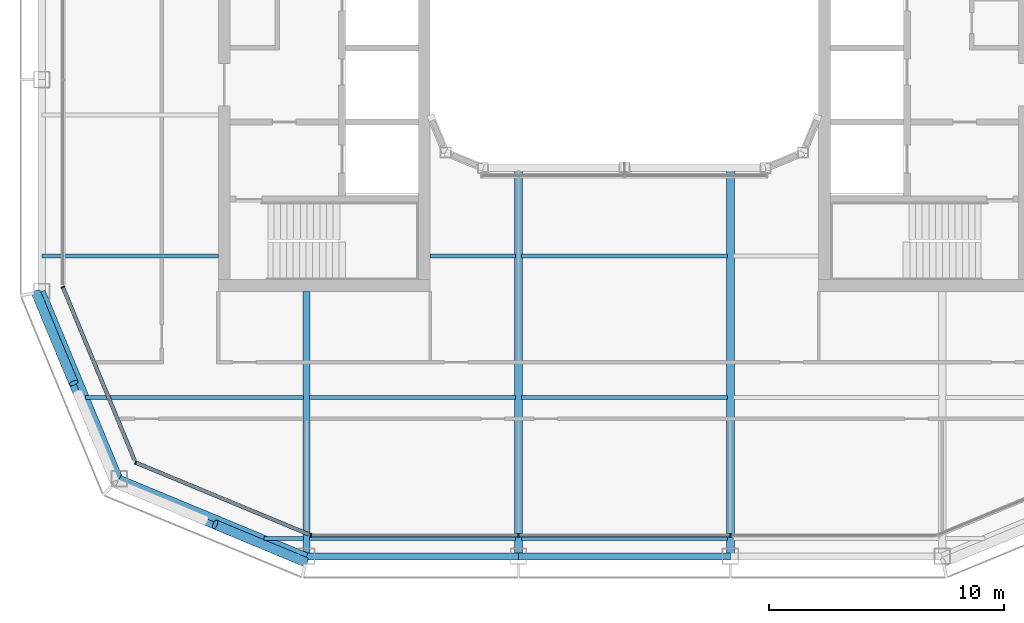
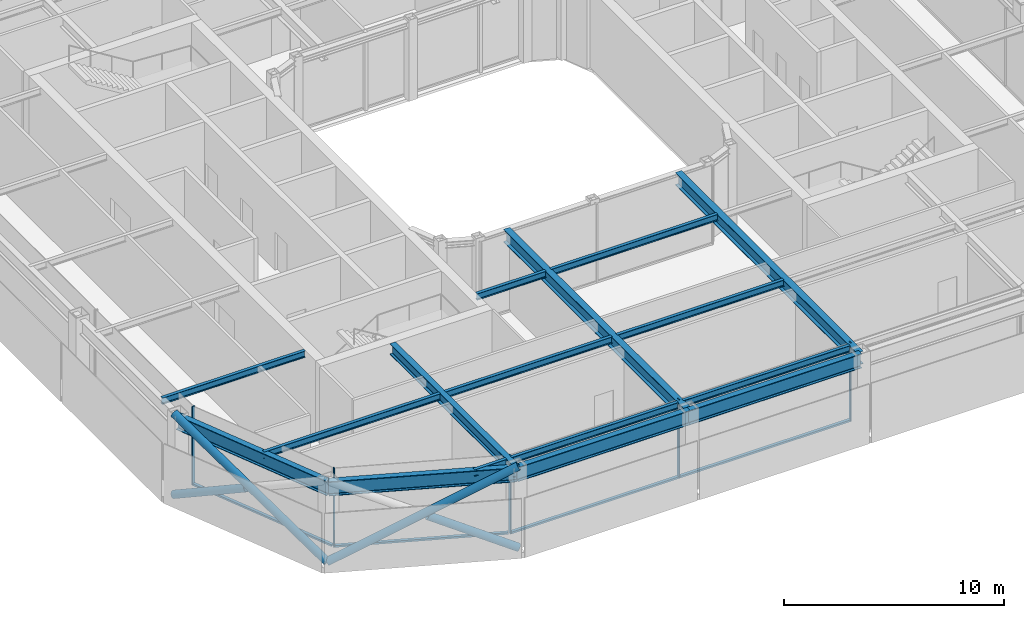
# One storey, part 3 of 18: 16 beams, 13 members, 3 elements without a shape of their own.
"""IFC4 building model written with IfcOpenShell, lengths in metres."""

from ifc_helpers import new_model, si_unit, direction, frame, origin, origin_2d, place, context, subcontext, project, spatial, rectangle, hollow_circle, i_section, extrude, material, layer, layer_set, material_profile, profile_set, type_object, element, aggregate, save


model = new_model("IFC4")

# Units and contexts
model_context = context("Model", 3, precision=1e-05, world=origin(), true_north=direction((0.0, 1.0)))
body_context = subcontext(model_context, "Body", "Model", "MODEL_VIEW")
ifc_project = project(units=[si_unit("LENGTHUNIT", "METRE"), si_unit("AREAUNIT", "SQUARE_METRE"), si_unit("VOLUMEUNIT", "CUBIC_METRE"), si_unit("PLANEANGLEUNIT", "RADIAN"), si_unit("MASSUNIT", "GRAM", prefix="KILO")], contexts=[model_context])

# Site, building, storey
site_placement = place(None, origin())
site = spatial("IfcSite", under=ifc_project, at=site_placement, CompositionType="ELEMENT")
building_placement = place(site_placement, origin())
building = spatial("IfcBuilding", under=site, at=building_placement, Name="Siwar Civic Tower", CompositionType="ELEMENT")
storey_placement = place(building_placement, frame((0.0, 0.0, 321.199951171875)))
storey = spatial("IfcBuildingStorey", under=building, at=storey_placement, Name="L69", CompositionType="ELEMENT", Elevation=321.199951171875)

# Curtain wall, members
ifc_material_1 = material(Name="Aluminium and glass", Category="aluminium")
ifc_layer_1 = layer(ifc_material_1, 0.159912109375)
ifc_layer_set_1 = layer_set([ifc_layer_1], Name="Aluminium and glass")
curtain_wall_type_1 = type_object("IfcCurtainWallType", Name="ENV-CW-D", PredefinedType="NOTDEFINED", material=ifc_layer_set_1)
curtain_wall_1_placement = place(storey_placement, origin())
curtain_wall_1 = element("IfcCurtainWall", 1, at=curtain_wall_1_placement, inside=storey, type_object=curtain_wall_type_1, Name="Curtain wall D S", PredefinedType="NOTDEFINED")
ifc_material_2 = material(Name="Aluminium 6063-T6", Category="aluminium")
ifc_material_profile_1 = material_profile(ifc_material_2, rectangle(XDim=0.159912109375, YDim=0.06005859375, at=origin_2d()), Name="AL 160x60")
ifc_profile_set_1 = profile_set([ifc_material_profile_1], Name="Aluminium 6063-T6")
member_type_1 = type_object("IfcMemberType", Name="ENV-MULLION-D", PredefinedType="MULLION", material=ifc_profile_set_1)
member_1_placement = place(storey_placement, frame((-13.321044921875, -23.85009765625, 0.0), z_axis=(0.0, 0.0, 1.0), x_axis=(0.0, 1.0, 0.0)))
member_1 = element("IfcMember", 2, at=member_1_placement, type_object=member_type_1, Name="Mullion D S 1", PredefinedType="MULLION", context=body_context, shape_type="SweptSolid", body=[
    extrude(rectangle(XDim=0.159912109375, YDim=0.06005859375, at=origin_2d()), origin(), (0.0, 0.0, 1.0), 4.35009765625),
])
member_2_placement = place(storey_placement, frame((-4.5, -23.85009765625, 0.0), z_axis=(0.0, 0.0, 1.0), x_axis=(0.0, 1.0, 0.0)))
member_2 = element("IfcMember", 3, at=member_2_placement, type_object=member_type_1, Name="Mullion D S 2", PredefinedType="MULLION", context=body_context, shape_type="SweptSolid", body=[
    extrude(rectangle(XDim=0.159912109375, YDim=0.06005859375, at=origin_2d()), origin(), (0.0, 0.0, 1.0), 4.35009765625),
])
member_3_placement = place(storey_placement, frame((4.5, -23.85009765625, 0.0), z_axis=(0.0, 0.0, 1.0), x_axis=(0.0, 1.0, 0.0)))
member_3 = element("IfcMember", 4, at=member_3_placement, type_object=member_type_1, Name="Mullion D S 3", PredefinedType="MULLION", context=body_context, shape_type="SweptSolid", body=[
    extrude(rectangle(XDim=0.159912109375, YDim=0.06005859375, at=origin_2d()), origin(), (0.0, 0.0, 1.0), 4.35009765625),
])

# Curtain wall, member
ifc_material_3 = material(Name="Aluminium clad insulated panel", Category="aluminium")
ifc_layer_2 = layer(ifc_material_3, 0.159912109375)
ifc_layer_set_2 = layer_set([ifc_layer_2], Name="Aluminium clad insulated panel")
curtain_wall_type_2 = type_object("IfcCurtainWallType", Name="ENV-CW-DX", PredefinedType="NOTDEFINED", material=ifc_layer_set_2)
curtain_wall_2_placement = place(storey_placement, origin())
curtain_wall_2 = element("IfcCurtainWall", 5, at=curtain_wall_2_placement, inside=storey, type_object=curtain_wall_type_2, Name="Curtain wall D SW1", PredefinedType="NOTDEFINED")
member_4_placement = place(storey_placement, frame((-23.85009765625, -13.321044921875, 0.0), z_axis=(0.0, 0.0, 1.0), x_axis=(0.923879532511, 0.382683432365, 0.0)))
member_4 = element("IfcMember", 6, at=member_4_placement, type_object=member_type_1, Name="Mullion D SW1 1", PredefinedType="MULLION", context=body_context, shape_type="SweptSolid", body=[
    extrude(rectangle(XDim=0.159912109375, YDim=0.06005859375, at=origin_2d()), origin(), (0.0, 0.0, 1.0), 4.35009765625),
])

curtain_wall_3_placement = place(storey_placement, origin())
curtain_wall_3 = element("IfcCurtainWall", 7, at=curtain_wall_3_placement, inside=storey, type_object=curtain_wall_type_2, Name="Curtain wall D SW2", PredefinedType="NOTDEFINED")
member_5_placement = place(storey_placement, frame((-20.76611328125, -20.76611328125, 0.0), z_axis=(0.0, 0.0, 1.0), x_axis=(0.382683432365, 0.923879532511, 0.0)))
member_5 = element("IfcMember", 8, at=member_5_placement, type_object=member_type_1, Name="Mullion D SW2 1", PredefinedType="MULLION", context=body_context, shape_type="SweptSolid", body=[
    extrude(rectangle(XDim=0.159912109375, YDim=0.06005859375, at=origin_2d()), origin(), (0.0, 0.0, 1.0), 4.35009765625),
])

# Member
ifc_material_4 = material(Name="Aluminium 6063-T6", Category="aluminium")
ifc_material_profile_2 = material_profile(ifc_material_4, rectangle(XDim=0.159912109375, YDim=0.10009765625, at=origin_2d()), Name="AL 160x100")
ifc_profile_set_2 = profile_set([ifc_material_profile_2], Name="Aluminium 6063-T6")
member_type_2 = type_object("IfcMemberType", Name="ENV-TRANSOM-D", PredefinedType="USERDEFINED", material=ifc_profile_set_2)
member_6_placement = place(storey_placement, frame((-13.291015625, -23.85009765625, 0.050048828125), z_axis=(1.0, 0.0, 0.0), x_axis=(0.0, 1.0, 0.0)))
member_6 = element("IfcMember", 9, at=member_6_placement, type_object=member_type_2, Name="Transom D S 1", ObjectType="TRANSOM", PredefinedType="USERDEFINED", context=body_context, shape_type="SweptSolid", body=[
    extrude(rectangle(XDim=0.159912109375, YDim=0.10009765625, at=origin_2d()), origin(), (0.0, 0.0, 1.0), 8.760986328125),
])

member_7_placement = place(storey_placement, frame((-4.469970703125, -23.85009765625, 0.050048828125), z_axis=(1.0, 0.0, 0.0), x_axis=(0.0, 1.0, 0.0)))
member_7 = element("IfcMember", 10, at=member_7_placement, type_object=member_type_2, Name="Transom D S 2", ObjectType="TRANSOM", PredefinedType="USERDEFINED", context=body_context, shape_type="SweptSolid", body=[
    extrude(rectangle(XDim=0.159912109375, YDim=0.10009765625, at=origin_2d()), origin(), (0.0, 0.0, 1.0), 8.93994140625),
])

aggregate(curtain_wall_1, [member_1, member_2, member_3, member_6, member_7])

member_8_placement = place(storey_placement, frame((-23.838623046875, -13.3486328125, 0.050048828125), z_axis=(0.382699790424, -0.923872756612, 0.0), x_axis=(0.923872756612, 0.382699790424, 0.0)))
member_8 = element("IfcMember", 11, at=member_8_placement, type_object=member_type_2, Name="Transom D SW1 1", ObjectType="TRANSOM", PredefinedType="USERDEFINED", context=body_context, shape_type="SweptSolid", body=[
    extrude(rectangle(XDim=0.159912109375, YDim=0.10009765625, at=origin_2d()), origin(), (0.0, 0.0, 1.0), 7.930908203125),
])

aggregate(curtain_wall_2, [member_4, member_8])

member_9_placement = place(storey_placement, frame((-20.738525390625, -20.777587890625, 0.050048828125), z_axis=(0.923883640343, -0.382673515031, 0.0), x_axis=(0.382673515031, 0.923883640343, 0.0)))
member_9 = element("IfcMember", 12, at=member_9_placement, type_object=member_type_2, Name="Transom D SW2 1", ObjectType="TRANSOM", PredefinedType="USERDEFINED", context=body_context, shape_type="SweptSolid", body=[
    extrude(rectangle(XDim=0.159912109375, YDim=0.10009765625, at=origin_2d()), origin(), (0.0, 0.0, 1.0), 7.930908203125),
])

aggregate(curtain_wall_3, [member_5, member_9])

# Members
ifc_material_5 = material(Name="Steel S355", Category="steel")
ifc_material_profile_3 = material_profile(ifc_material_5, hollow_circle(Radius=0.203125, WallThickness=0.01611328125, at=origin_2d()), Name="CHS406.4x16")
ifc_profile_set_3 = profile_set([ifc_material_profile_3], Name="Steel S355")
member_type_3 = type_object("IfcMemberType", Name="STR-BR-CHS406.4x16", PredefinedType="BRACE", material=ifc_profile_set_3)
member_10_placement = place(storey_placement, frame((-21.6318359375, -21.6318359375, 0.0), z_axis=(0.821142553604, -0.341671493852, 0.457149315816), x_axis=(0.384163874976, 0.923264922524, 0.0)))
element("IfcMember", 13, at=member_10_placement, inside=storey, type_object=member_type_3, Name="L69/brc/DSW1-8-0-1", PredefinedType="BRACE", context=body_context, shape_type="SweptSolid", body=[
    extrude(hollow_circle(Radius=0.203125, WallThickness=0.01611328125, at=origin_2d()), origin(), (0.0, 0.0, 1.0), 9.843505859375),
])
member_11_placement = place(storey_placement, frame((-13.548828125, -24.9951171875, 0.0), z_axis=(-0.821130093572, 0.341659024948, 0.45718101459), x_axis=(-0.384156893273, -0.923267827529, 0.0)))
element("IfcMember", 14, at=member_11_placement, inside=storey, type_object=member_type_3, Name="L69/brc/DSW1-8-0-2", PredefinedType="BRACE", context=body_context, shape_type="SweptSolid", body=[
    extrude(hollow_circle(Radius=0.203125, WallThickness=0.01611328125, at=origin_2d()), origin(), (0.0, 0.0, 1.0), 4.677001953125),
])
member_12_placement = place(storey_placement, frame((-21.6318359375, -21.6318359375, 0.0), z_axis=(-0.341671493852, 0.821142553604, 0.457149315816), x_axis=(-0.923264922524, -0.384163874976, 0.0)))
element("IfcMember", 15, at=member_12_placement, inside=storey, type_object=member_type_3, Name="L69/brc/DSW1-8-0-0", PredefinedType="BRACE", context=body_context, shape_type="SweptSolid", body=[
    extrude(hollow_circle(Radius=0.203125, WallThickness=0.01611328125, at=origin_2d()), origin(), (0.0, 0.0, 1.0), 9.843505859375),
])
member_13_placement = place(storey_placement, frame((-24.9951171875, -13.548828125, 0.0), z_axis=(0.341659024948, -0.821130093572, 0.45718101459), x_axis=(0.923267827529, 0.384156893273, 0.0)))
element("IfcMember", 16, at=member_13_placement, inside=storey, type_object=member_type_3, Name="L69/brc/DSW1-8-0-4", PredefinedType="BRACE", context=body_context, shape_type="SweptSolid", body=[
    extrude(hollow_circle(Radius=0.203125, WallThickness=0.01611328125, at=origin_2d()), origin(), (0.0, 0.0, 1.0), 4.677001953125),
])

# Beams
ifc_material_6 = material(Name="Steel S355", Category="steel")
ifc_material_profile_4 = material_profile(ifc_material_6, i_section(OverallWidth=0.169921875, OverallDepth=0.360107421875, WebThickness=0.008056640625, FlangeThickness=0.0126953125, FilletRadius=0.01806640625, at=origin_2d()), Name="IPE360")
ifc_profile_set_4 = profile_set([ifc_material_profile_4], Name="Steel S355")
beam_type_1 = type_object("IfcBeamType", Name="STR-FB-IPE360", PredefinedType="JOIST", material=ifc_profile_set_4)
beam_1_placement = place(storey_placement, frame((-15.310546875, -24.0, 4.170166015625), z_axis=(1.0, 0.0, 0.0), x_axis=(0.0, 1.0, 0.0)))
element("IfcBeam", 17, at=beam_1_placement, inside=storey, type_object=beam_type_1, Name="L69/bm/F001", PredefinedType="JOIST", context=body_context, shape_type="SweptSolid", body=[
    extrude(i_section(OverallWidth=0.169921875, OverallDepth=0.360107421875, WebThickness=0.008056640625, FlangeThickness=0.0126953125, FilletRadius=0.01806640625, at=origin_2d()), origin(), (0.0, 0.0, 1.0), 1.6806640625),
])
for number, where, z_axis, x_axis, name in (
    (18, (-13.3701171875, -24.0, 4.170166015625), (1.0, 0.0, 0.0), (0.0, 1.0, 0.0), "L69/bm/F002"),
    (19, (-4.3701171875, -24.0, 4.170166015625), (1.0, 0.0, 0.0), (0.0, 1.0, 0.0), "L69/bm/F003"),
):
    element("IfcBeam", number, at=place(storey_placement, frame(where, z_axis=z_axis, x_axis=x_axis)), inside=storey, type_object=beam_type_1, Name=name, PredefinedType="JOIST", context=body_context, shape_type="SweptSolid", body=[
        extrude(i_section(OverallWidth=0.169921875, OverallDepth=0.360107421875, WebThickness=0.008056640625, FlangeThickness=0.0126953125, FilletRadius=0.01806640625, at=origin_2d()), origin(), (0.0, 0.0, 1.0), 8.740234375),
    ])
beam_2_placement = place(storey_placement, frame((-22.885986328125, -18.0, 4.170166015625), z_axis=(1.0, 0.0, 0.0), x_axis=(0.0, 1.0, 0.0)))
element("IfcBeam", 20, at=beam_2_placement, inside=storey, type_object=beam_type_1, Name="L69/bm/F006", PredefinedType="JOIST", context=body_context, shape_type="SweptSolid", body=[
    extrude(i_section(OverallWidth=0.169921875, OverallDepth=0.360107421875, WebThickness=0.008056640625, FlangeThickness=0.0126953125, FilletRadius=0.01806640625, at=origin_2d()), origin(), (0.0, 0.0, 1.0), 9.256103515625),
])
for number, where, z_axis, x_axis, name in (
    (21, (-13.3701171875, -18.0, 4.170166015625), (1.0, 0.0, 0.0), (0.0, 1.0, 0.0), "L69/bm/F007"),
    (22, (-4.3701171875, -18.0, 4.170166015625), (1.0, 0.0, 0.0), (0.0, 1.0, 0.0), "L69/bm/F008"),
):
    element("IfcBeam", number, at=place(storey_placement, frame(where, z_axis=z_axis, x_axis=x_axis)), inside=storey, type_object=beam_type_1, Name=name, PredefinedType="JOIST", context=body_context, shape_type="SweptSolid", body=[
        extrude(i_section(OverallWidth=0.169921875, OverallDepth=0.360107421875, WebThickness=0.008056640625, FlangeThickness=0.0126953125, FilletRadius=0.01806640625, at=origin_2d()), origin(), (0.0, 0.0, 1.0), 8.740234375),
    ])
beam_3_placement = place(storey_placement, frame((-24.75, -12.0, 4.170166015625), z_axis=(1.0, 0.0, 0.0), x_axis=(0.0, 1.0, 0.0)))
element("IfcBeam", 23, at=beam_3_placement, inside=storey, type_object=beam_type_1, Name="L69/bm/F011", PredefinedType="JOIST", context=body_context, shape_type="SweptSolid", body=[
    extrude(i_section(OverallWidth=0.169921875, OverallDepth=0.360107421875, WebThickness=0.008056640625, FlangeThickness=0.0126953125, FilletRadius=0.01806640625, at=origin_2d()), origin(), (0.0, 0.0, 1.0), 7.5),
])
beam_4_placement = place(storey_placement, frame((-8.25, -12.0, 4.170166015625), z_axis=(1.0, 0.0, 0.0), x_axis=(0.0, 1.0, 0.0)))
element("IfcBeam", 24, at=beam_4_placement, inside=storey, type_object=beam_type_1, Name="L69/bm/F012", PredefinedType="JOIST", context=body_context, shape_type="SweptSolid", body=[
    extrude(i_section(OverallWidth=0.169921875, OverallDepth=0.360107421875, WebThickness=0.008056640625, FlangeThickness=0.0126953125, FilletRadius=0.01806640625, at=origin_2d()), origin(), (0.0, 0.0, 1.0), 3.6201171875),
])
beam_5_placement = place(storey_placement, frame((-4.3701171875, -12.0, 4.170166015625), z_axis=(1.0, 0.0, 0.0), x_axis=(0.0, 1.0, 0.0)))
element("IfcBeam", 25, at=beam_5_placement, inside=storey, type_object=beam_type_1, Name="L69/bm/F013", PredefinedType="JOIST", context=body_context, shape_type="SweptSolid", body=[
    extrude(i_section(OverallWidth=0.169921875, OverallDepth=0.360107421875, WebThickness=0.008056640625, FlangeThickness=0.0126953125, FilletRadius=0.01806640625, at=origin_2d()), origin(), (0.0, 0.0, 1.0), 8.740234375),
])
ifc_material_7 = material(Name="Steel S355", Category="steel")
ifc_material_profile_5 = material_profile(ifc_material_7, i_section(OverallWidth=0.300048828125, OverallDepth=0.60009765625, WebThickness=0.015380859375, FlangeThickness=0.030029296875, FilletRadius=0.027099609375, at=origin_2d()), Name="HEB600")
ifc_profile_set_5 = profile_set([ifc_material_profile_5], Name="Steel S355")
beam_type_2 = type_object("IfcBeamType", Name="STR-PG-HEB600", PredefinedType="BEAM", material=ifc_profile_set_5)
beam_6_placement = place(storey_placement, frame((-13.5, -24.75, 4.050048828125), z_axis=(0.0, 1.0, 0.0), x_axis=(-1.0, 0.0, 0.0)))
element("IfcBeam", 26, at=beam_6_placement, inside=storey, type_object=beam_type_2, Name="L69/bm/G01", PredefinedType="BEAM", context=body_context, shape_type="SweptSolid", body=[
    extrude(i_section(OverallWidth=0.300048828125, OverallDepth=0.60009765625, WebThickness=0.015380859375, FlangeThickness=0.030029296875, FilletRadius=0.027099609375, at=origin_2d()), origin(), (0.0, 0.0, 1.0), 11.25),
])
ifc_material_8 = material(Name="Steel S355", Category="steel")
ifc_material_profile_6 = material_profile(ifc_material_8, i_section(OverallWidth=0.340087890625, OverallDepth=0.699951171875, WebThickness=0.013916015625, FlangeThickness=0.030029296875, at=origin_2d()), Name="PG700x340x14x30")
ifc_profile_set_6 = profile_set([ifc_material_profile_6], Name="Steel S355")
beam_type_3 = type_object("IfcBeamType", Name="STR-PG-PG700x340x14x30", PredefinedType="BEAM", material=ifc_profile_set_6)
for number, where, z_axis, x_axis, name in (
    (27, (-4.5, -24.75, 4.0), (0.0, 1.0, 0.0), (-1.0, 0.0, 0.0), "L69/bm/G03"),
    (28, (4.5, -24.75, 4.0), (0.0, 1.0, 0.0), (-1.0, 0.0, 0.0), "L69/bm/G05"),
):
    element("IfcBeam", number, at=place(storey_placement, frame(where, z_axis=z_axis, x_axis=x_axis)), inside=storey, type_object=beam_type_3, Name=name, PredefinedType="BEAM", context=body_context, shape_type="SweptSolid", body=[
        extrude(i_section(OverallWidth=0.340087890625, OverallDepth=0.699951171875, WebThickness=0.013916015625, FlangeThickness=0.030029296875, at=origin_2d()), origin(), (0.0, 0.0, 1.0), 16.5),
    ])
ifc_material_9 = material(Name="Steel S355", Category="steel")
ifc_material_profile_7 = material_profile(ifc_material_9, i_section(OverallWidth=0.300048828125, OverallDepth=0.800048828125, WebThickness=0.017578125, FlangeThickness=0.032958984375, FilletRadius=0.030029296875, at=origin_2d()), Name="HEB800")
ifc_profile_set_7 = profile_set([ifc_material_profile_7], Name="Steel S355")
beam_type_4 = type_object("IfcBeamType", Name="STR-SB-HEB800", PredefinedType="BEAM", material=ifc_profile_set_7)
for number, where, z_axis, x_axis, name in (
    (29, (-13.5, -24.75, 3.949951171875), (1.0, 0.0, 0.0), (0.0, 1.0, 0.0), "L69/bm/SS-0"),
    (30, (-4.5, -24.75, 3.949951171875), (1.0, 0.0, 0.0), (0.0, 1.0, 0.0), "L69/bm/SS-1"),
):
    element("IfcBeam", number, at=place(storey_placement, frame(where, z_axis=z_axis, x_axis=x_axis)), inside=storey, type_object=beam_type_4, Name=name, PredefinedType="BEAM", context=body_context, shape_type="SweptSolid", body=[
        extrude(i_section(OverallWidth=0.300048828125, OverallDepth=0.800048828125, WebThickness=0.017578125, FlangeThickness=0.032958984375, FilletRadius=0.030029296875, at=origin_2d()), origin(), (0.0, 0.0, 1.0), 9.0),
    ])
for number, where, z_axis, x_axis, name in (
    (31, (-24.75, -13.5, 3.949951171875), (0.382699877515, -0.923872720536, 0.0), (0.923872720536, 0.382699877515, 0.0), "L69/bm/SSW1-0"),
    (32, (-21.454833984375, -21.454833984375, 3.949951171875), (0.923872720536, -0.382699877515, 0.0), (0.382699877515, 0.923872720536, 0.0), "L69/bm/SSW2-0"),
):
    element("IfcBeam", number, at=place(storey_placement, frame(where, z_axis=z_axis, x_axis=x_axis)), inside=storey, type_object=beam_type_4, Name=name, PredefinedType="BEAM", context=body_context, shape_type="SweptSolid", body=[
        extrude(i_section(OverallWidth=0.300048828125, OverallDepth=0.800048828125, WebThickness=0.017578125, FlangeThickness=0.032958984375, FilletRadius=0.030029296875, at=origin_2d()), origin(), (0.0, 0.0, 1.0), 8.6103515625),
    ])

save(model, "model.ifc")
